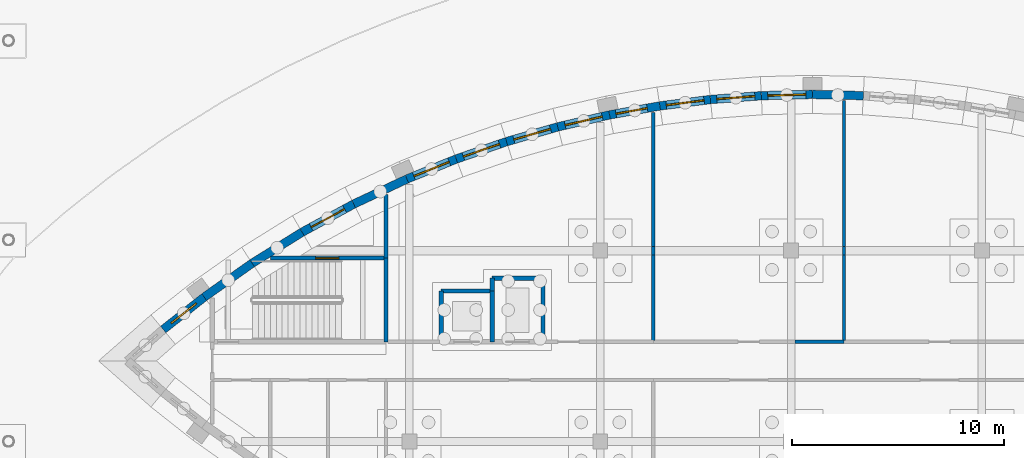
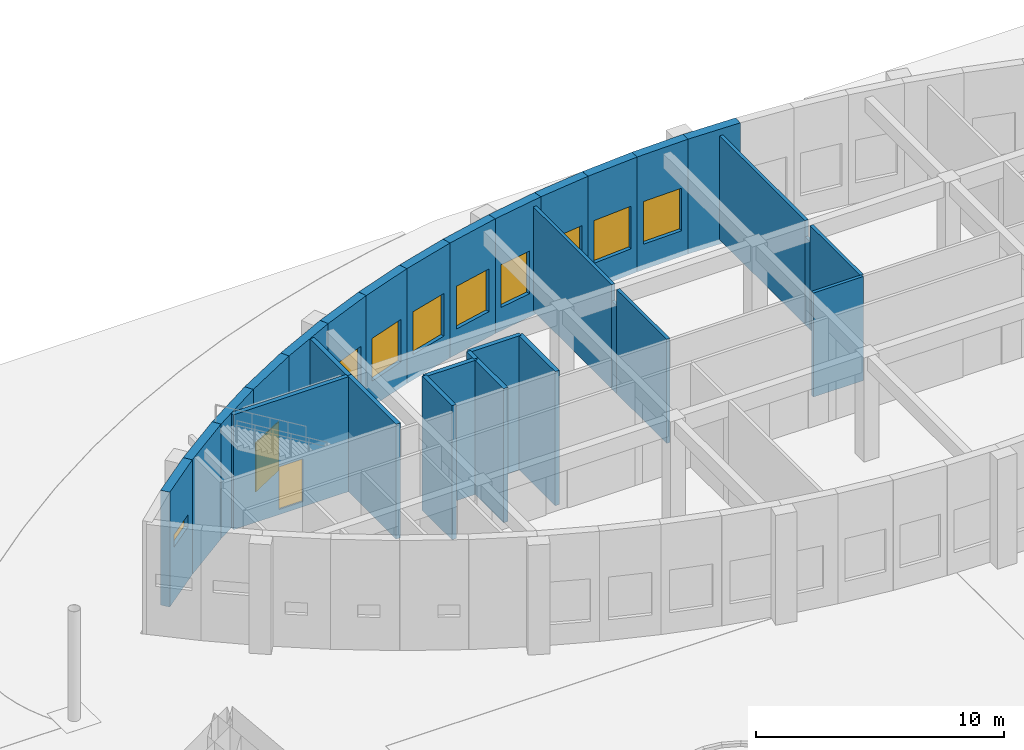
# One storey, part 64 of 82: 30 walls, 9 windows, 2 doors, 11 openings.
"""IFC4 building model written with IfcOpenShell, lengths in metres."""

from ifc_helpers import new_model, si_unit, direction, frame, frame_2d, origin, place, context, subcontext, project, spatial, rectangle, extrude, material, layer, layer_set, type_object, element, fill, save


model = new_model("IFC4")

# Units and contexts
model_context = context("Model", 3, precision=1e-05, world=origin(), true_north=direction((0.0, 1.0)))
body_context = subcontext(model_context, "Body", "Model", "MODEL_VIEW")
ifc_project = project(units=[si_unit("LENGTHUNIT", "METRE"), si_unit("AREAUNIT", "SQUARE_METRE"), si_unit("VOLUMEUNIT", "CUBIC_METRE"), si_unit("PLANEANGLEUNIT", "RADIAN"), si_unit("MASSUNIT", "GRAM", prefix="KILO")], contexts=[model_context])

# Site, building, storey
site_placement = place(None, origin())
site = spatial("IfcSite", under=ifc_project, at=site_placement, CompositionType="ELEMENT")
building_placement = place(site_placement, origin())
building = spatial("IfcBuilding", under=site, at=building_placement, Name="Tide Square Theatres", CompositionType="ELEMENT")
storey_placement = place(building_placement, origin())
storey = spatial("IfcBuildingStorey", under=building, at=storey_placement, Name="L00", CompositionType="ELEMENT", Elevation=0.0)

# Walls
ifc_material_1 = material(Name="Gypsum board on steel studs", Category="steel")
ifc_layer_1 = layer(ifc_material_1, 0.14990234375)
ifc_layer_set_1 = layer_set([ifc_layer_1], Name="Gypsum board on steel studs")
wall_type_1 = type_object("IfcWallType", Name="Partition 150 thick", PredefinedType="PARTITIONING", material=ifc_layer_set_1)
wall_1_placement = place(storey_placement, frame((129.175048828125, 98.699951171875, 0.0), z_axis=(0.0, 0.0, 1.0), x_axis=(1.0, 0.0, 0.0)))
element("IfcWall", 1, at=wall_1_placement, inside=storey, type_object=wall_type_1, Name="Rehearsal Block partition", PredefinedType="PARTITIONING", context=body_context, shape_type="SweptSolid", body=[
    extrude(rectangle(XDim=2.324951171875, YDim=0.14990234375, at=frame_2d((1.16259765625, 0.0))), origin(), (0.0, 0.0, 1.0), 5.1201171875),
])
wall_2_placement = place(storey_placement, frame((122.5, 109.515869140625, 0.0), z_axis=(0.0, 0.0, 1.0), x_axis=(0.0, -1.0, 0.0)))
element("IfcWall", 2, at=wall_2_placement, inside=storey, type_object=wall_type_1, Name="Rehearsal Block partition", PredefinedType="PARTITIONING", context=body_context, shape_type="SweptSolid", body=[
    extrude(rectangle(XDim=6.31591796875, YDim=0.14990234375, at=frame_2d((3.157958984375, 0.0))), origin(), (0.0, 0.0, 1.0), 5.1201171875),
])
wall_3_placement = place(storey_placement, frame((122.5, 103.199951171875, 0.0), z_axis=(0.0, 0.0, 1.0), x_axis=(0.0, -1.0, 0.0)))
element("IfcWall", 3, at=wall_3_placement, inside=storey, type_object=wall_type_1, Name="Rehearsal Block partition", PredefinedType="PARTITIONING", context=body_context, shape_type="SweptSolid", body=[
    extrude(rectangle(XDim=0.39990234375, YDim=0.14990234375, at=frame_2d((0.199951171875, 0.0))), origin(), (0.0, 0.0, 1.0), 4.320068359375),
])
wall_4_placement = place(storey_placement, frame((122.5, 102.800048828125, 0.0), z_axis=(0.0, 0.0, 1.0), x_axis=(0.0, -1.0, 0.0)))
element("IfcWall", 4, at=wall_4_placement, inside=storey, type_object=wall_type_1, Name="Rehearsal Block partition", PredefinedType="PARTITIONING", context=body_context, shape_type="SweptSolid", body=[
    extrude(rectangle(XDim=4.0400390625, YDim=0.14990234375, at=frame_2d((2.02001953125, 0.0))), origin(), (0.0, 0.0, 1.0), 5.1201171875),
])
wall_5_placement = place(storey_placement, frame((131.5, 110.080810546875, 0.0), z_axis=(0.0, 0.0, 1.0), x_axis=(0.0, -1.0, 0.0)))
element("IfcWall", 5, at=wall_5_placement, inside=storey, type_object=wall_type_1, Name="Rehearsal Block partition", PredefinedType="PARTITIONING", context=body_context, shape_type="SweptSolid", body=[
    extrude(rectangle(XDim=6.880859375, YDim=0.14990234375, at=frame_2d((3.4404296875, 0.0))), origin(), (0.0, 0.0, 1.0), 5.1201171875),
])
wall_6_placement = place(storey_placement, frame((131.5, 103.199951171875, 0.0), z_axis=(0.0, 0.0, 1.0), x_axis=(0.0, -1.0, 0.0)))
element("IfcWall", 6, at=wall_6_placement, inside=storey, type_object=wall_type_1, Name="Rehearsal Block partition", PredefinedType="PARTITIONING", context=body_context, shape_type="SweptSolid", body=[
    extrude(rectangle(XDim=0.39990234375, YDim=0.14990234375, at=frame_2d((0.199951171875, 0.0))), origin(), (0.0, 0.0, 1.0), 4.320068359375),
])
wall_7_placement = place(storey_placement, frame((131.5, 102.800048828125, 0.0), z_axis=(0.0, 0.0, 1.0), x_axis=(0.0, -1.0, 0.0)))
element("IfcWall", 7, at=wall_7_placement, inside=storey, type_object=wall_type_1, Name="Rehearsal Block partition", PredefinedType="PARTITIONING", context=body_context, shape_type="SweptSolid", body=[
    extrude(rectangle(XDim=4.0400390625, YDim=0.14990234375, at=frame_2d((2.02001953125, 0.0))), origin(), (0.0, 0.0, 1.0), 5.1201171875),
])
ifc_material_2 = material(Name="Concrete C40", Category="concrete")
ifc_layer_2 = layer(ifc_material_2, 0.39990234375)
ifc_layer_set_2 = layer_set([ifc_layer_2], Name="Concrete C40")
wall_type_2 = type_object("IfcWallType", Name="RC curved wall 400 thick", PredefinedType="SOLIDWALL", material=ifc_layer_set_2)
wall_8_placement = place(storey_placement, frame((132.4052734375, 110.30810546875, -0.25), z_axis=(0.0, 0.0, 1.0), x_axis=(-0.999683321759, 0.025164582196, 0.0)))
element("IfcWall", 8, at=wall_8_placement, inside=storey, type_object=wall_type_2, Name="Rehearsal Block perimeter wall 041", PredefinedType="SOLIDWALL", context=body_context, shape_type="SweptSolid", body=[
    extrude(rectangle(XDim=2.406005859375, YDim=0.39990234375, at=frame_2d((1.203125, 0.0))), origin(), (0.0, 0.0, 1.0), 5.64990234375),
])

# Wall, opening, window
wall_9_placement = place(storey_placement, frame((130.0, 110.36865234375, -0.25), z_axis=(0.0, 0.0, 1.0), x_axis=(-0.999683321759, -0.025164582196, 0.0)))
wall_9 = element("IfcWall", 9, at=wall_9_placement, inside=storey, type_object=wall_type_2, Name="Rehearsal Block perimeter wall 042", PredefinedType="SOLIDWALL", context=body_context, shape_type="SweptSolid", body=[
    extrude(rectangle(XDim=2.406005859375, YDim=0.39990234375, at=frame_2d((1.203125, 0.0))), origin(), (0.0, 0.0, 1.0), 5.64990234375),
])
opening_1_placement = place(wall_9_placement, frame((0.302978515625, 0.0, 1.25)))
opening_1 = element("IfcOpeningElement", 10, at=opening_1_placement, cuts=wall_9, Name="Opening WN-14", PredefinedType="OPENING", context=body_context, shape_type="SweptSolid", body=[
    extrude(rectangle(XDim=1.800048828125, YDim=2.10009765625, at=frame_2d((0.89990234375, 1.050048828125))), frame((0.0, 0.2099609375, 0.0), z_axis=(0.0, -1.0, 0.0), x_axis=(1.0, 0.0, 0.0)), (0.0, 0.0, 1.0), 0.419921875),
])
ifc_material_3 = material(Name="Aluminium with laminated glass", Category="aluminium")
window_type_1 = type_object("IfcWindowType", Name="Window 1800 x 2100", PartitioningType="DOUBLE_PANEL_VERTICAL", PredefinedType="WINDOW", material=ifc_material_3)
window_1_placement = place(opening_1_placement, origin())
window_1 = element("IfcWindow", 11, at=window_1_placement, inside=storey, type_object=window_type_1, Name="Rehearsal Block window L00-34", OverallHeight=2.10009765625, OverallWidth=1.800048828125, PartitioningType="SINGLE_PANEL", PredefinedType="WINDOW", context=body_context, shape_type="SweptSolid", body=[
    extrude(rectangle(XDim=1.800048828125, YDim=2.10009765625, at=frame_2d((0.89990234375, 1.050048828125))), frame((0.0, 0.030029296875, 0.0), z_axis=(0.0, -1.0, 0.0), x_axis=(1.0, 0.0, 0.0)), (0.0, 0.0, 1.0), 0.06005859375),
])
fill(opening_1, window_1)

wall_10_placement = place(storey_placement, frame((127.5947265625, 110.30810546875, -0.25), z_axis=(0.0, 0.0, 1.0), x_axis=(-0.997153910364, -0.075392831525, 0.0)))
wall_10 = element("IfcWall", 12, at=wall_10_placement, inside=storey, type_object=wall_type_2, Name="Rehearsal Block perimeter wall 043", PredefinedType="SOLIDWALL", context=body_context, shape_type="SweptSolid", body=[
    extrude(rectangle(XDim=2.406005859375, YDim=0.39990234375, at=frame_2d((1.203125, 0.0))), origin(), (0.0, 0.0, 1.0), 5.64990234375),
])
opening_2_placement = place(wall_10_placement, frame((0.302978515625, 0.0, 1.25)))
opening_2 = element("IfcOpeningElement", 13, at=opening_2_placement, cuts=wall_10, Name="Opening WN-14", PredefinedType="OPENING", context=body_context, shape_type="SweptSolid", body=[
    extrude(rectangle(XDim=1.800048828125, YDim=2.10009765625, at=frame_2d((0.89990234375, 1.050048828125))), frame((0.0, 0.2099609375, 0.0), z_axis=(0.0, -1.0, 0.0), x_axis=(1.0, 0.0, 0.0)), (0.0, 0.0, 1.0), 0.419921875),
])
window_2_placement = place(opening_2_placement, origin())
window_2 = element("IfcWindow", 14, at=window_2_placement, inside=storey, type_object=window_type_1, Name="Rehearsal Block window L00-35", OverallHeight=2.10009765625, OverallWidth=1.800048828125, PartitioningType="SINGLE_PANEL", PredefinedType="WINDOW", context=body_context, shape_type="SweptSolid", body=[
    extrude(rectangle(XDim=1.800048828125, YDim=2.10009765625, at=frame_2d((0.89990234375, 1.050048828125))), frame((0.0, 0.030029296875, 0.0), z_axis=(0.0, -1.0, 0.0), x_axis=(1.0, 0.0, 0.0)), (0.0, 0.0, 1.0), 0.06005859375),
])
fill(opening_2, window_2)

wall_11_placement = place(storey_placement, frame((125.195556640625, 110.126708984375, -0.25), z_axis=(0.0, 0.0, 1.0), x_axis=(-0.99208939311, -0.125533406227, 0.0)))
wall_11 = element("IfcWall", 15, at=wall_11_placement, inside=storey, type_object=wall_type_2, Name="Rehearsal Block perimeter wall 044", PredefinedType="SOLIDWALL", context=body_context, shape_type="SweptSolid", body=[
    extrude(rectangle(XDim=2.40576171875, YDim=0.39990234375, at=frame_2d((1.202880859375, 0.0))), origin(), (0.0, 0.0, 1.0), 5.64990234375),
])
opening_3_placement = place(wall_11_placement, frame((0.302978515625, 0.0, 1.25)))
opening_3 = element("IfcOpeningElement", 16, at=opening_3_placement, cuts=wall_11, Name="Opening WN-14", PredefinedType="OPENING", context=body_context, shape_type="SweptSolid", body=[
    extrude(rectangle(XDim=1.800048828125, YDim=2.10009765625, at=frame_2d((0.89990234375, 1.050048828125))), frame((0.0, 0.2099609375, 0.0), z_axis=(0.0, -1.0, 0.0), x_axis=(1.0, 0.0, 0.0)), (0.0, 0.0, 1.0), 0.419921875),
])
window_3_placement = place(opening_3_placement, origin())
window_3 = element("IfcWindow", 17, at=window_3_placement, inside=storey, type_object=window_type_1, Name="Rehearsal Block window L00-36", OverallHeight=2.10009765625, OverallWidth=1.800048828125, PartitioningType="SINGLE_PANEL", PredefinedType="WINDOW", context=body_context, shape_type="SweptSolid", body=[
    extrude(rectangle(XDim=1.800048828125, YDim=2.10009765625, at=frame_2d((0.89990234375, 1.050048828125))), frame((0.0, 0.030029296875, 0.0), z_axis=(0.0, -1.0, 0.0), x_axis=(1.0, 0.0, 0.0)), (0.0, 0.0, 1.0), 0.06005859375),
])
fill(opening_3, window_3)

wall_12_placement = place(storey_placement, frame((122.808837890625, 109.82470703125, -0.25), z_axis=(0.0, 0.0, 1.0), x_axis=(-0.984524011381, -0.175249738987, 0.0)))
wall_12 = element("IfcWall", 18, at=wall_12_placement, inside=storey, type_object=wall_type_2, Name="Rehearsal Block perimeter wall 045", PredefinedType="SOLIDWALL", context=body_context, shape_type="SweptSolid", body=[
    extrude(rectangle(XDim=2.406005859375, YDim=0.39990234375, at=frame_2d((1.203125, 0.0))), origin(), (0.0, 0.0, 1.0), 5.64990234375),
])
opening_4_placement = place(wall_12_placement, frame((0.60302734375, 0.0, 1.14990234375)))
opening_4 = element("IfcOpeningElement", 19, at=opening_4_placement, cuts=wall_12, Name="Opening WN-01", PredefinedType="OPENING", context=body_context, shape_type="SweptSolid", body=[
    extrude(rectangle(XDim=1.5, YDim=2.10009765625, at=frame_2d((0.75, 1.050048828125))), frame((0.0, 0.2099609375, 0.0), z_axis=(0.0, -1.0, 0.0), x_axis=(1.0, 0.0, 0.0)), (0.0, 0.0, 1.0), 0.419921875),
])
ifc_material_4 = material(Name="Aluminium with laminated glass", Category="aluminium")
window_type_2 = type_object("IfcWindowType", Name="Window 1500 x 2100", PartitioningType="SINGLE_PANEL", PredefinedType="WINDOW", material=ifc_material_4)
window_4_placement = place(opening_4_placement, origin())
window_4 = element("IfcWindow", 20, at=window_4_placement, inside=storey, type_object=window_type_2, Name="Rehearsal Block window L00-37", OverallHeight=2.10009765625, OverallWidth=1.5, PartitioningType="SINGLE_PANEL", PredefinedType="WINDOW", context=body_context, shape_type="SweptSolid", body=[
    extrude(rectangle(XDim=1.5, YDim=2.10009765625, at=frame_2d((0.75, 1.050048828125))), frame((0.0, 0.030029296875, 0.0), z_axis=(0.0, -1.0, 0.0), x_axis=(1.0, 0.0, 0.0)), (0.0, 0.0, 1.0), 0.06005859375),
])
fill(opening_4, window_4)

wall_13_placement = place(storey_placement, frame((120.440185546875, 109.403076171875, -0.25), z_axis=(0.0, 0.0, 1.0), x_axis=(-0.974189274843, -0.225732710925, 0.0)))
wall_13 = element("IfcWall", 21, at=wall_13_placement, inside=storey, type_object=wall_type_2, Name="Rehearsal Block perimeter wall 046", PredefinedType="SOLIDWALL", context=body_context, shape_type="SweptSolid", body=[
    extrude(rectangle(XDim=2.511474609375, YDim=0.39990234375, at=frame_2d((1.255859375, 0.0))), origin(), (0.0, 0.0, 1.0), 5.64990234375),
])
opening_5_placement = place(wall_13_placement, frame((0.355712890625, 0.0, 1.25)))
opening_5 = element("IfcOpeningElement", 22, at=opening_5_placement, cuts=wall_13, Name="Opening WN-14", PredefinedType="OPENING", context=body_context, shape_type="SweptSolid", body=[
    extrude(rectangle(XDim=1.800048828125, YDim=2.10009765625, at=frame_2d((0.89990234375, 1.050048828125))), frame((0.0, 0.2099609375, 0.0), z_axis=(0.0, -1.0, 0.0), x_axis=(1.0, 0.0, 0.0)), (0.0, 0.0, 1.0), 0.419921875),
])
window_5_placement = place(opening_5_placement, origin())
window_5 = element("IfcWindow", 23, at=window_5_placement, inside=storey, type_object=window_type_1, Name="Rehearsal Block window L00-38", OverallHeight=2.10009765625, OverallWidth=1.800048828125, PartitioningType="SINGLE_PANEL", PredefinedType="WINDOW", context=body_context, shape_type="SweptSolid", body=[
    extrude(rectangle(XDim=1.800048828125, YDim=2.10009765625, at=frame_2d((0.89990234375, 1.050048828125))), frame((0.0, 0.030029296875, 0.0), z_axis=(0.0, -1.0, 0.0), x_axis=(1.0, 0.0, 0.0)), (0.0, 0.0, 1.0), 0.06005859375),
])
fill(opening_5, window_5)

wall_14_placement = place(storey_placement, frame((117.99365234375, 108.836181640625, -0.25), z_axis=(0.0, 0.0, 1.0), x_axis=(-0.961008605775, -0.276518461637, 0.0)))
wall_14 = element("IfcWall", 24, at=wall_14_placement, inside=storey, type_object=wall_type_2, Name="Rehearsal Block perimeter wall 047", PredefinedType="SOLIDWALL", context=body_context, shape_type="SweptSolid", body=[
    extrude(rectangle(XDim=2.510986328125, YDim=0.39990234375, at=frame_2d((1.25537109375, 0.0))), origin(), (0.0, 0.0, 1.0), 5.64990234375),
])
opening_6_placement = place(wall_14_placement, frame((0.35546875, 0.0, 1.25)))
opening_6 = element("IfcOpeningElement", 25, at=opening_6_placement, cuts=wall_14, Name="Opening WN-14", PredefinedType="OPENING", context=body_context, shape_type="SweptSolid", body=[
    extrude(rectangle(XDim=1.800048828125, YDim=2.10009765625, at=frame_2d((0.89990234375, 1.050048828125))), frame((0.0, 0.2099609375, 0.0), z_axis=(0.0, -1.0, 0.0), x_axis=(1.0, 0.0, 0.0)), (0.0, 0.0, 1.0), 0.419921875),
])
window_6_placement = place(opening_6_placement, origin())
window_6 = element("IfcWindow", 26, at=window_6_placement, inside=storey, type_object=window_type_1, Name="Rehearsal Block window L00-39", OverallHeight=2.10009765625, OverallWidth=1.800048828125, PartitioningType="SINGLE_PANEL", PredefinedType="WINDOW", context=body_context, shape_type="SweptSolid", body=[
    extrude(rectangle(XDim=1.800048828125, YDim=2.10009765625, at=frame_2d((0.89990234375, 1.050048828125))), frame((0.0, 0.030029296875, 0.0), z_axis=(0.0, -1.0, 0.0), x_axis=(1.0, 0.0, 0.0)), (0.0, 0.0, 1.0), 0.06005859375),
])
fill(opening_6, window_6)

wall_15_placement = place(storey_placement, frame((115.58056640625, 108.141845703125, -0.25), z_axis=(0.0, 0.0, 1.0), x_axis=(-0.945175475032, -0.326562890417, 0.0)))
wall_15 = element("IfcWall", 27, at=wall_15_placement, inside=storey, type_object=wall_type_2, Name="Rehearsal Block perimeter wall 048", PredefinedType="SOLIDWALL", context=body_context, shape_type="SweptSolid", body=[
    extrude(rectangle(XDim=2.51123046875, YDim=0.39990234375, at=frame_2d((1.255615234375, 0.0))), origin(), (0.0, 0.0, 1.0), 5.64990234375),
])
opening_7_placement = place(wall_15_placement, frame((0.35546875, 0.0, 1.25)))
opening_7 = element("IfcOpeningElement", 28, at=opening_7_placement, cuts=wall_15, Name="Opening WN-14", PredefinedType="OPENING", context=body_context, shape_type="SweptSolid", body=[
    extrude(rectangle(XDim=1.800048828125, YDim=2.10009765625, at=frame_2d((0.89990234375, 1.050048828125))), frame((0.0, 0.2099609375, 0.0), z_axis=(0.0, -1.0, 0.0), x_axis=(1.0, 0.0, 0.0)), (0.0, 0.0, 1.0), 0.419921875),
])
window_7_placement = place(opening_7_placement, origin())
window_7 = element("IfcWindow", 29, at=window_7_placement, inside=storey, type_object=window_type_1, Name="Rehearsal Block window L00-40", OverallHeight=2.10009765625, OverallWidth=1.800048828125, PartitioningType="SINGLE_PANEL", PredefinedType="WINDOW", context=body_context, shape_type="SweptSolid", body=[
    extrude(rectangle(XDim=1.800048828125, YDim=2.10009765625, at=frame_2d((0.89990234375, 1.050048828125))), frame((0.0, 0.030029296875, 0.0), z_axis=(0.0, -1.0, 0.0), x_axis=(1.0, 0.0, 0.0)), (0.0, 0.0, 1.0), 0.06005859375),
])
fill(opening_7, window_7)

wall_16_placement = place(storey_placement, frame((113.20703125, 107.32177734375, -0.25), z_axis=(0.0, 0.0, 1.0), x_axis=(-0.926688932252, -0.375829246921, 0.0)))
wall_16 = element("IfcWall", 30, at=wall_16_placement, inside=storey, type_object=wall_type_2, Name="Rehearsal Block perimeter wall 049", PredefinedType="SOLIDWALL", context=body_context, shape_type="SweptSolid", body=[
    extrude(rectangle(XDim=2.5107421875, YDim=0.39990234375, at=frame_2d((1.25537109375, 0.0))), origin(), (0.0, 0.0, 1.0), 5.64990234375),
])
opening_8_placement = place(wall_16_placement, frame((0.35546875, 0.0, 1.25)))
opening_8 = element("IfcOpeningElement", 31, at=opening_8_placement, cuts=wall_16, Name="Opening WN-14", PredefinedType="OPENING", context=body_context, shape_type="SweptSolid", body=[
    extrude(rectangle(XDim=1.800048828125, YDim=2.10009765625, at=frame_2d((0.89990234375, 1.050048828125))), frame((0.0, 0.2099609375, 0.0), z_axis=(0.0, -1.0, 0.0), x_axis=(1.0, 0.0, 0.0)), (0.0, 0.0, 1.0), 0.419921875),
])
window_8_placement = place(opening_8_placement, origin())
window_8 = element("IfcWindow", 32, at=window_8_placement, inside=storey, type_object=window_type_1, Name="Rehearsal Block window L00-41", OverallHeight=2.10009765625, OverallWidth=1.800048828125, PartitioningType="SINGLE_PANEL", PredefinedType="WINDOW", context=body_context, shape_type="SweptSolid", body=[
    extrude(rectangle(XDim=1.800048828125, YDim=2.10009765625, at=frame_2d((0.89990234375, 1.050048828125))), frame((0.0, 0.030029296875, 0.0), z_axis=(0.0, -1.0, 0.0), x_axis=(1.0, 0.0, 0.0)), (0.0, 0.0, 1.0), 0.06005859375),
])
fill(opening_8, window_8)

# Wall
wall_17_placement = place(storey_placement, frame((110.88037109375, 106.378173828125, -0.25), z_axis=(0.0, 0.0, 1.0), x_axis=(-0.904561064695, -0.42634408667, 0.0)))
element("IfcWall", 33, at=wall_17_placement, inside=storey, type_object=wall_type_2, Name="Rehearsal Block perimeter wall 050", PredefinedType="SOLIDWALL", context=body_context, shape_type="SweptSolid", body=[
    extrude(rectangle(XDim=2.772216796875, YDim=0.39990234375, at=frame_2d((1.38623046875, 0.0))), origin(), (0.0, 0.0, 1.0), 5.64990234375),
])

# Wall, opening, door
wall_18_placement = place(storey_placement, frame((108.372802734375, 105.1962890625, -0.25), z_axis=(0.0, 0.0, 1.0), x_axis=(-0.878255502871, -0.478191668347, 0.0)))
wall_18 = element("IfcWall", 34, at=wall_18_placement, inside=storey, type_object=wall_type_2, Name="Rehearsal Block perimeter wall 051", PredefinedType="SOLIDWALL", context=body_context, shape_type="SweptSolid", body=[
    extrude(rectangle(XDim=2.771728515625, YDim=0.39990234375, at=frame_2d((1.3857421875, 0.0))), origin(), (0.0, 0.0, 1.0), 5.64990234375),
])
opening_9_placement = place(wall_18_placement, frame((0.48583984375, 0.0, 0.25)))
opening_9 = element("IfcOpeningElement", 35, at=opening_9_placement, cuts=wall_18, Name="Opening R0-01", PredefinedType="OPENING", context=body_context, shape_type="SweptSolid", body=[
    extrude(rectangle(XDim=1.800048828125, YDim=2.39990234375, at=frame_2d((0.89990234375, 1.199951171875))), frame((0.0, 0.2099609375, 0.0), z_axis=(0.0, -1.0, 0.0), x_axis=(1.0, 0.0, 0.0)), (0.0, 0.0, 1.0), 0.419921875),
])
ifc_material_5 = material(Name="Hardwood timber", Category="wood")
door_type_1 = type_object("IfcDoorType", Name="Door 1800 x 2400 double leaf", OperationType="DOUBLE_DOOR_SINGLE_SWING", PredefinedType="DOOR", material=ifc_material_5)
door_1_placement = place(opening_9_placement, frame((1.800048828125, 0.0, 0.0), z_axis=(0.0, 0.0, 1.0), x_axis=(-1.0, 0.0, 0.0)))
door_1 = element("IfcDoor", 36, at=door_1_placement, inside=storey, type_object=door_type_1, Name="Rehearsal Block stair discharge door R0-01", OperationType="DOUBLE_DOOR_SINGLE_SWING", OverallHeight=2.39990234375, OverallWidth=1.800048828125, PredefinedType="DOOR", context=body_context, shape_type="SweptSolid", body=[
    extrude(rectangle(XDim=1.800048828125, YDim=2.39990234375, at=frame_2d((0.89990234375, 1.199951171875))), frame((0.0, 0.02490234375, 0.0), z_axis=(0.0, -1.0, 0.0), x_axis=(1.0, 0.0, 0.0)), (0.0, 0.0, 1.0), 0.050048828125),
])
fill(opening_9, door_1)

# Walls
for number, where, z_axis, x_axis, name in (
    (37, (105.9384765625, 103.870849609375, -0.25), (0.0, 0.0, 1.0), (-0.84912946359, -0.528184772653, 0.0), "Rehearsal Block perimeter wall 052"),
    (38, (103.584716796875, 102.40673828125, -0.25), (0.0, 0.0, 1.0), (-0.817070367038, -0.57653795652, 0.0), "Rehearsal Block perimeter wall 053"),
):
    element("IfcWall", number, at=place(storey_placement, frame(where, z_axis=z_axis, x_axis=x_axis)), inside=storey, type_object=wall_type_2, Name=name, PredefinedType="SOLIDWALL", context=body_context, shape_type="SweptSolid", body=[
        extrude(rectangle(XDim=2.77197265625, YDim=0.39990234375, at=frame_2d((1.385986328125, 0.0))), origin(), (0.0, 0.0, 1.0), 5.64990234375),
    ])

# Wall, opening, window
wall_19_placement = place(storey_placement, frame((101.31982421875, 100.80859375, -0.25), z_axis=(0.0, 0.0, 1.0), x_axis=(-0.784278812541, -0.620408530082, 0.0)))
wall_19 = element("IfcWall", 39, at=wall_19_placement, inside=storey, type_object=wall_type_2, Name="Rehearsal Block perimeter wall 054", PredefinedType="SOLIDWALL", context=body_context, shape_type="SweptSolid", body=[
    extrude(rectangle(XDim=2.464111328125, YDim=0.39990234375, at=frame_2d((1.23193359375, 0.0))), origin(), (0.0, 0.0, 1.0), 5.64990234375),
])
opening_10_placement = place(wall_19_placement, frame((0.48193359375, 0.0, 2.64990234375)))
opening_10 = element("IfcOpeningElement", 40, at=opening_10_placement, cuts=wall_19, Name="Opening WN-05", PredefinedType="OPENING", context=body_context, shape_type="SweptSolid", body=[
    extrude(rectangle(XDim=1.5, YDim=0.60009765625, at=frame_2d((0.75, 0.300048828125))), frame((0.0, 0.2099609375, 0.0), z_axis=(0.0, -1.0, 0.0), x_axis=(1.0, 0.0, 0.0)), (0.0, 0.0, 1.0), 0.419921875),
])
ifc_material_6 = material(Name="Aluminium with laminated glass", Category="aluminium")
window_type_3 = type_object("IfcWindowType", Name="Window 1500 x 600", PartitioningType="SINGLE_PANEL", PredefinedType="WINDOW", material=ifc_material_6)
window_9_placement = place(opening_10_placement, origin())
window_9 = element("IfcWindow", 41, at=window_9_placement, inside=storey, type_object=window_type_3, Name="Rehearsal Block window L00-42", OverallHeight=0.60009765625, OverallWidth=1.5, PartitioningType="SINGLE_PANEL", PredefinedType="WINDOW", context=body_context, shape_type="SweptSolid", body=[
    extrude(rectangle(XDim=1.5, YDim=0.60009765625, at=frame_2d((0.75, 0.300048828125))), frame((0.0, 0.030029296875, 0.0), z_axis=(0.0, -1.0, 0.0), x_axis=(1.0, 0.0, 0.0)), (0.0, 0.0, 1.0), 0.06005859375),
])
fill(opening_10, window_9)

# Wall
ifc_material_7 = material(Name="Concrete C40", Category="concrete")
ifc_layer_3 = layer(ifc_material_7, 0.199951171875)
ifc_layer_set_3 = layer_set([ifc_layer_3], Name="Concrete C40")
wall_type_3 = type_object("IfcWallType", Name="RC shear wall 200 thick", PredefinedType="SHEAR", material=ifc_layer_set_3)
wall_20_placement = place(storey_placement, frame((109.89990234375, 102.64990234375, -0.25), z_axis=(0.0, 0.0, 1.0), x_axis=(0.0, -1.0, 0.0)))
element("IfcWall", 42, at=wall_20_placement, inside=storey, type_object=wall_type_3, Name="Rehearsal Block stair enclosure wall", PredefinedType="SHEAR", context=body_context, shape_type="SweptSolid", body=[
    extrude(rectangle(XDim=3.949951171875, YDim=0.199951171875, at=frame_2d((1.97509765625, 0.0))), origin(), (0.0, 0.0, 1.0), 5.64990234375),
])

# Wall, opening, door
wall_21_placement = place(storey_placement, frame((104.448974609375, 102.64990234375, -0.25), z_axis=(0.0, 0.0, 1.0), x_axis=(1.0, 0.0, 0.0)))
wall_21 = element("IfcWall", 43, at=wall_21_placement, inside=storey, type_object=wall_type_3, Name="Rehearsal Block stair enclosure wall", PredefinedType="SHEAR", context=body_context, shape_type="SweptSolid", body=[
    extrude(rectangle(XDim=5.450927734375, YDim=0.199951171875, at=frame_2d((2.7255859375, 0.0))), origin(), (0.0, 0.0, 1.0), 5.64990234375),
])
opening_11_placement = place(wall_21_placement, frame((2.128173828125, 0.0, 0.25)))
opening_11 = element("IfcOpeningElement", 44, at=opening_11_placement, cuts=wall_21, Name="Opening R0-21", PredefinedType="OPENING", context=body_context, shape_type="SweptSolid", body=[
    extrude(rectangle(XDim=1.10009765625, YDim=2.10009765625, at=frame_2d((0.550048828125, 1.050048828125))), frame((0.0, 0.10986328125, 0.0), z_axis=(0.0, -1.0, 0.0), x_axis=(1.0, 0.0, 0.0)), (0.0, 0.0, 1.0), 0.219970703125),
])
ifc_material_8 = material(Name="Painted steel", Category="steel")
door_type_2 = type_object("IfcDoorType", Name="Door 1100 x 2100 single leaf", OperationType="NOTDEFINED", PredefinedType="DOOR", material=ifc_material_8)
door_2_placement = place(opening_11_placement, frame((1.10009765625, 0.0, 0.0), z_axis=(0.0, 0.0, 1.0), x_axis=(-1.0, 0.0, 0.0)))
door_2 = element("IfcDoor", 45, at=door_2_placement, inside=storey, type_object=door_type_2, Name="Rehearsal Block door R0-21 stair door to Stair Discharge Lobby 1", OperationType="SINGLE_SWING_LEFT", OverallHeight=2.10009765625, OverallWidth=1.10009765625, PredefinedType="DOOR", context=body_context, shape_type="SweptSolid", body=[
    extrude(rectangle(XDim=1.10009765625, YDim=2.10009765625, at=frame_2d((0.550048828125, 1.050048828125))), frame((0.0, 0.02490234375, 0.0), z_axis=(0.0, -1.0, 0.0), x_axis=(1.0, 0.0, 0.0)), (0.0, 0.0, 1.0), 0.050048828125),
])
fill(opening_11, door_2)

# Walls
wall_22_placement = place(storey_placement, frame((109.89990234375, 105.6396484375, -0.25), z_axis=(0.0, 0.0, 1.0), x_axis=(0.0, -1.0, 0.0)))
element("IfcWall", 46, at=wall_22_placement, inside=storey, type_object=wall_type_3, Name="Rehearsal Block stair enclosure wall", PredefinedType="SHEAR", context=body_context, shape_type="SweptSolid", body=[
    extrude(rectangle(XDim=2.98974609375, YDim=0.199951171875, at=frame_2d((1.494873046875, 0.0))), origin(), (0.0, 0.0, 1.0), 5.64990234375),
])
wall_23_placement = place(storey_placement, frame((114.89990234375, 101.10009765625, -1.199951171875), z_axis=(0.0, 0.0, 1.0), x_axis=(0.0, 1.0, 0.0)))
element("IfcWall", 47, at=wall_23_placement, inside=storey, type_object=wall_type_3, Name="Rehearsal Block lift shaft wall", PredefinedType="SHEAR", context=body_context, shape_type="SweptSolid", body=[
    extrude(rectangle(XDim=0.599853515625, YDim=0.199951171875, at=frame_2d((0.2998046875, 0.0))), origin(), (0.0, 0.0, 1.0), 6.599853515625),
])
wall_24_placement = place(storey_placement, frame((114.89990234375, 101.699951171875, -1.199951171875), z_axis=(0.0, 0.0, 1.0), x_axis=(1.0, 0.0, 0.0)))
element("IfcWall", 48, at=wall_24_placement, inside=storey, type_object=wall_type_3, Name="Rehearsal Block lift shaft wall", PredefinedType="SHEAR", context=body_context, shape_type="SweptSolid", body=[
    extrude(rectangle(XDim=2.400146484375, YDim=0.199951171875, at=frame_2d((1.2001953125, 0.0))), origin(), (0.0, 0.0, 1.0), 6.599853515625),
])
wall_25_placement = place(storey_placement, frame((117.300048828125, 101.699951171875, -1.199951171875), z_axis=(0.0, 0.0, 1.0), x_axis=(0.0, -1.0, 0.0)))
element("IfcWall", 49, at=wall_25_placement, inside=storey, type_object=wall_type_3, Name="Rehearsal Block lift shaft wall", PredefinedType="SHEAR", context=body_context, shape_type="SweptSolid", body=[
    extrude(rectangle(XDim=3.0, YDim=0.199951171875, at=frame_2d((1.5, 0.0))), origin(), (0.0, 0.0, 1.0), 6.599853515625),
])
for number, where, z_axis, x_axis, name in (
    (50, (114.89990234375, 101.10009765625, -1.199951171875), (0.0, 0.0, 1.0), (0.0, -1.0, 0.0), "Rehearsal Block lift shaft wall"),
    (51, (112.5, 98.699951171875, -1.199951171875), (0.0, 0.0, 1.0), (0.0, 1.0, 0.0), "Rehearsal Block lift shaft wall"),
):
    element("IfcWall", number, at=place(storey_placement, frame(where, z_axis=z_axis, x_axis=x_axis)), inside=storey, type_object=wall_type_3, Name=name, PredefinedType="SHEAR", context=body_context, shape_type="SweptSolid", body=[
        extrude(rectangle(XDim=2.400146484375, YDim=0.199951171875, at=frame_2d((1.2001953125, 0.0))), origin(), (0.0, 0.0, 1.0), 6.599853515625),
    ])
wall_26_placement = place(storey_placement, frame((112.5, 101.10009765625, -1.199951171875), z_axis=(0.0, 0.0, 1.0), x_axis=(1.0, 0.0, 0.0)))
element("IfcWall", 52, at=wall_26_placement, inside=storey, type_object=wall_type_3, Name="Rehearsal Block lift shaft wall", PredefinedType="SHEAR", context=body_context, shape_type="SweptSolid", body=[
    extrude(rectangle(XDim=2.39990234375, YDim=0.199951171875, at=frame_2d((1.199951171875, 0.0))), origin(), (0.0, 0.0, 1.0), 6.599853515625),
])

save(model, "model.ifc")
